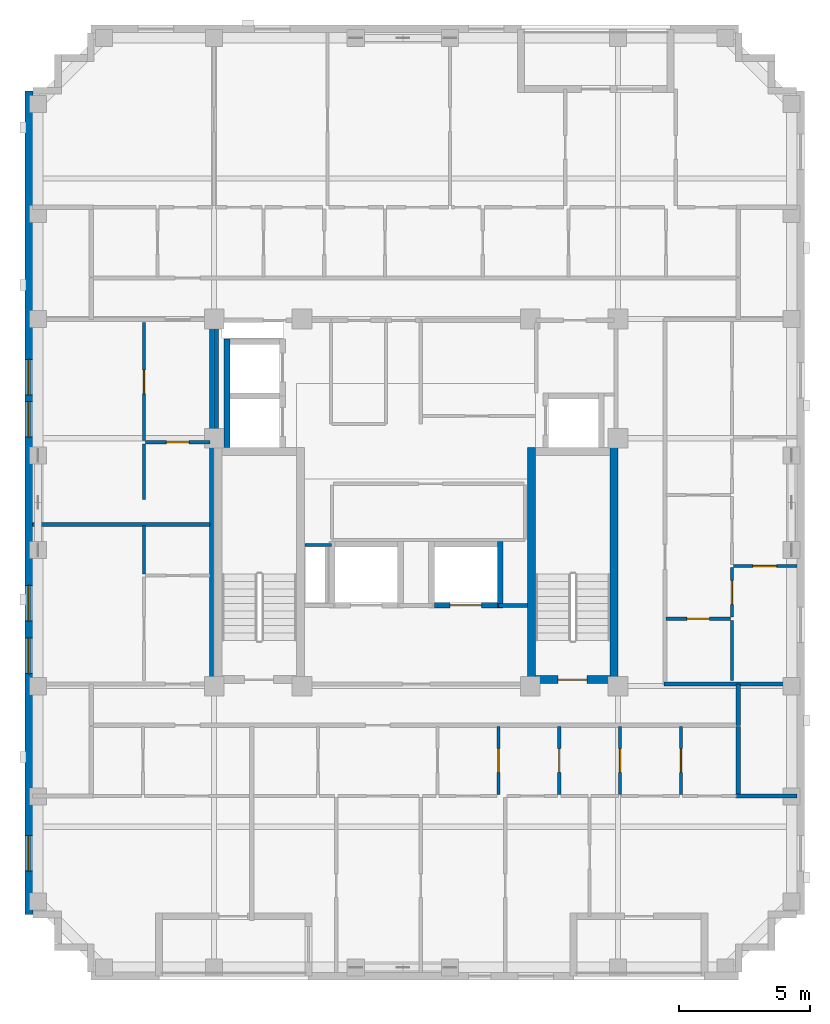
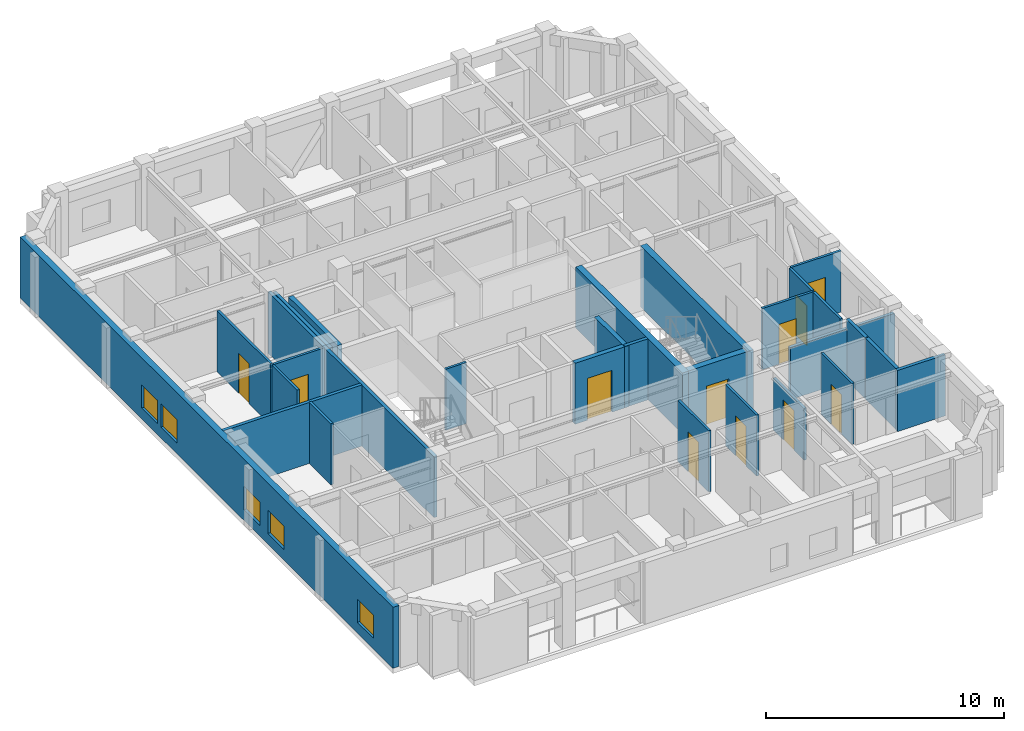
# One storey, part 4 of 11: 28 walls, 11 doors, 5 windows, 16 openings.
"""IFC4 building model written with IfcOpenShell, lengths in metres."""

from ifc_helpers import new_model, si_unit, derived_unit, direction, frame, frame_2d, origin, place, context, subcontext, project, spatial, rectangle, extrude, material, layer, layer_set, type_object, element, fill, save


model = new_model("IFC4")

# Units and contexts
model_context = context("Model", 3, precision=1e-05, world=origin(), true_north=direction((0.0, 1.0)))
body_context = subcontext(model_context, "Body", "Model", "MODEL_VIEW")
ifc_project = project(units=[si_unit("LENGTHUNIT", "METRE"), si_unit("AREAUNIT", "SQUARE_METRE"), si_unit("VOLUMEUNIT", "CUBIC_METRE"), si_unit("PLANEANGLEUNIT", "RADIAN"), si_unit("MASSUNIT", "GRAM", prefix="KILO"), derived_unit("THERMALTRANSMITTANCEUNIT", [(si_unit("MASSUNIT", "GRAM", prefix="KILO"), 1), (si_unit("TIMEUNIT", "SECOND"), -3), (si_unit("THERMODYNAMICTEMPERATUREUNIT", "KELVIN"), -1)])], contexts=[model_context])

# Site, building, storey
site_placement = place(None, origin())
site = spatial("IfcSite", under=ifc_project, at=site_placement, CompositionType="ELEMENT")
building_placement = place(site_placement, origin())
building = spatial("IfcBuilding", under=site, at=building_placement, Name="Korrvale Station Residences", CompositionType="ELEMENT")
storey_placement = place(building_placement, frame((0.0, 0.0, 244.5)))
storey = spatial("IfcBuildingStorey", under=building, at=storey_placement, Name="L71", CompositionType="ELEMENT", Elevation=244.5)

# Walls
ifc_material_1 = material(Name="Concrete C50/60", Category="concrete")
ifc_layer_1 = layer(ifc_material_1, 0.300048828125, Name="Concrete C50/60")
ifc_layer_set_1 = layer_set([ifc_layer_1], Name="Concrete C50/60")
wall_type_1 = type_object("IfcWallType", Name="WAL-CORE-300-C50", PredefinedType="SHEAR", material=ifc_layer_set_1)
for number, where, z_axis, x_axis, name in (
    (1, (29.89990234375, 15.10009765625, 0.0), (0.0, 0.0, 1.0), (0.0, 1.0, 0.0), "L71 ST-2 Core Shear Wall West"),
    (2, (33.050048828125, 15.10009765625, 0.0), (0.0, 0.0, 1.0), (0.0, 1.0, 0.0), "L71 ST-2 Core Shear Wall East"),
):
    element("IfcWall", number, at=place(storey_placement, frame(where, z_axis=z_axis, x_axis=x_axis)), inside=storey, type_object=wall_type_1, Name=name, PredefinedType="SHEAR", context=body_context, shape_type="SweptSolid", body=[
        extrude(rectangle(XDim=9.0, YDim=0.300048828125, at=frame_2d((4.5, 0.0))), origin(), (0.0, 0.0, 1.0), 3.139892578125),
    ])

# Wall, opening, door
wall_1_placement = place(storey_placement, frame((30.050048828125, 15.25, 0.0), z_axis=(0.0, 0.0, 1.0), x_axis=(1.0, 0.0, 0.0)))
wall_1 = element("IfcWall", 3, at=wall_1_placement, inside=storey, type_object=wall_type_1, Name="L71 ST-2 Core Shear Wall South", PredefinedType="SHEAR", context=body_context, shape_type="SweptSolid", body=[
    extrude(rectangle(XDim=2.849853515625, YDim=0.300048828125, at=frame_2d((1.4248046875, 0.0))), origin(), (0.0, 0.0, 1.0), 3.139892578125),
])
opening_1_placement = place(wall_1_placement, frame((0.860107421875, 0.0, 0.0)))
opening_1 = element("IfcOpeningElement", 4, at=opening_1_placement, cuts=wall_1, Name="Opening SD-1100", PredefinedType="OPENING", context=body_context, shape_type="SweptSolid", body=[
    extrude(rectangle(XDim=1.10009765625, YDim=2.050048828125, at=frame_2d((0.550048828125, 1.02490234375))), frame((0.0, 0.16015625, 0.0), z_axis=(0.0, -1.0, 0.0), x_axis=(1.0, 0.0, 0.0)), (0.0, 0.0, 1.0), 0.320068359375),
])
ifc_material_2 = material(Name="Hollow-metal fire-rated stair door with closer", Category="steel")
door_type_1 = type_object("IfcDoorType", Name="DR-STAIR-1100", OperationType="NOTDEFINED", PredefinedType="DOOR", material=ifc_material_2)
door_1_placement = place(opening_1_placement, origin())
door_1 = element("IfcDoor", 5, at=door_1_placement, inside=storey, type_object=door_type_1, Name="L71 ST-2 Exit Stair Door", OperationType="SINGLE_SWING_RIGHT", OverallHeight=2.050048828125, OverallWidth=1.10009765625, PredefinedType="DOOR", context=body_context, shape_type="SweptSolid", body=[
    extrude(rectangle(XDim=1.10009765625, YDim=2.050048828125, at=frame_2d((0.550048828125, 1.02490234375))), frame((0.0, 0.02490234375, 0.0), z_axis=(0.0, -1.0, 0.0), x_axis=(1.0, 0.0, 0.0)), (0.0, 0.0, 1.0), 0.050048828125),
])
fill(opening_1, door_1)

# Wall, openings, windows
ifc_material_3 = material(Name="Precast concrete C45/55", Category="concrete")
ifc_layer_2 = layer(ifc_material_3, 0.300048828125, Name="Precast concrete C45/55")
ifc_layer_set_2 = layer_set([ifc_layer_2], Name="Precast concrete C45/55")
wall_type_2 = type_object("IfcWallType", Name="WAL-EXT-PC300", PredefinedType="SOLIDWALL", material=ifc_layer_set_2)
wall_2_placement = place(storey_placement, frame((10.75, 6.300048828125, 0.0), z_axis=(0.0, 0.0, 1.0), x_axis=(0.0, 1.0, 0.0)))
wall_2 = element("IfcWall", 6, at=wall_2_placement, inside=storey, type_object=wall_type_2, Name="L71 West Exterior Precast Wall 1", PredefinedType="SOLIDWALL", context=body_context, shape_type="SweptSolid", body=[
    extrude(rectangle(XDim=31.39990234375, YDim=0.300048828125, at=frame_2d((15.699951171875, 0.0))), origin(), (0.0, 0.0, 1.0), 3.139892578125),
])
opening_2_placement = place(wall_2_placement, frame((1.653076171875, 0.0, 0.550048828125)))
opening_2 = element("IfcOpeningElement", 7, at=opening_2_placement, cuts=wall_2, Name="Opening W-10", PredefinedType="OPENING", context=body_context, shape_type="SweptSolid", body=[
    extrude(rectangle(XDim=1.35009765625, YDim=1.199951171875, at=frame_2d((0.675048828125, 0.60009765625))), frame((0.0, 0.16015625, 0.0), z_axis=(0.0, -1.0, 0.0), x_axis=(1.0, 0.0, 0.0)), (0.0, 0.0, 1.0), 0.320068359375),
])
opening_3_placement = place(wall_2_placement, frame((11.194091796875, 0.0, 0.550048828125)))
opening_3 = element("IfcOpeningElement", 8, at=opening_3_placement, cuts=wall_2, Name="Opening W-10", PredefinedType="OPENING", context=body_context, shape_type="SweptSolid", body=[
    extrude(rectangle(XDim=1.35009765625, YDim=1.199951171875, at=frame_2d((0.675048828125, 0.60009765625))), frame((0.0, 0.16015625, 0.0), z_axis=(0.0, -1.0, 0.0), x_axis=(1.0, 0.0, 0.0)), (0.0, 0.0, 1.0), 0.320068359375),
])
opening_4_placement = place(wall_2_placement, frame((9.18505859375, 0.0, 0.550048828125)))
opening_4 = element("IfcOpeningElement", 9, at=opening_4_placement, cuts=wall_2, Name="Opening W-10", PredefinedType="OPENING", context=body_context, shape_type="SweptSolid", body=[
    extrude(rectangle(XDim=1.35009765625, YDim=1.199951171875, at=frame_2d((0.675048828125, 0.60009765625))), frame((0.0, 0.16015625, 0.0), z_axis=(0.0, -1.0, 0.0), x_axis=(1.0, 0.0, 0.0)), (0.0, 0.0, 1.0), 0.320068359375),
])
opening_5_placement = place(wall_2_placement, frame((18.199951171875, 0.0, 0.550048828125)))
opening_5 = element("IfcOpeningElement", 10, at=opening_5_placement, cuts=wall_2, Name="Opening W-10", PredefinedType="OPENING", context=body_context, shape_type="SweptSolid", body=[
    extrude(rectangle(XDim=1.35009765625, YDim=1.199951171875, at=frame_2d((0.675048828125, 0.60009765625))), frame((0.0, 0.16015625, 0.0), z_axis=(0.0, -1.0, 0.0), x_axis=(1.0, 0.0, 0.0)), (0.0, 0.0, 1.0), 0.320068359375),
])
opening_6_placement = place(wall_2_placement, frame((19.81005859375, 0.0, 0.550048828125)))
opening_6 = element("IfcOpeningElement", 11, at=opening_6_placement, cuts=wall_2, Name="Opening W-10", PredefinedType="OPENING", context=body_context, shape_type="SweptSolid", body=[
    extrude(rectangle(XDim=1.35009765625, YDim=1.199951171875, at=frame_2d((0.675048828125, 0.60009765625))), frame((0.0, 0.16015625, 0.0), z_axis=(0.0, -1.0, 0.0), x_axis=(1.0, 0.0, 0.0)), (0.0, 0.0, 1.0), 0.320068359375),
])
ifc_material_4 = material(Name="Thermally broken aluminium frame with triple low-e glazing", Category="aluminium")
window_type = type_object("IfcWindowType", Name="WIN-W10", PartitioningType="SINGLE_PANEL", PredefinedType="WINDOW", material=ifc_material_4)
window_1_placement = place(opening_2_placement, origin())
window_1 = element("IfcWindow", 12, at=window_1_placement, inside=storey, type_object=window_type, Name="L71 Punched Window 01", OverallHeight=1.199951171875, OverallWidth=1.35009765625, PartitioningType="SINGLE_PANEL", PredefinedType="WINDOW", context=body_context, shape_type="SweptSolid", body=[
    extrude(rectangle(XDim=1.35009765625, YDim=1.199951171875, at=frame_2d((0.675048828125, 0.60009765625))), frame((0.0, 0.030029296875, 0.0), z_axis=(0.0, -1.0, 0.0), x_axis=(1.0, 0.0, 0.0)), (0.0, 0.0, 1.0), 0.06005859375),
])
fill(opening_2, window_1)
window_2_placement = place(opening_3_placement, origin())
window_2 = element("IfcWindow", 13, at=window_2_placement, inside=storey, type_object=window_type, Name="L71 Punched Window 11", OverallHeight=1.199951171875, OverallWidth=1.35009765625, PartitioningType="SINGLE_PANEL", PredefinedType="WINDOW", context=body_context, shape_type="SweptSolid", body=[
    extrude(rectangle(XDim=1.35009765625, YDim=1.199951171875, at=frame_2d((0.675048828125, 0.60009765625))), frame((0.0, 0.030029296875, 0.0), z_axis=(0.0, -1.0, 0.0), x_axis=(1.0, 0.0, 0.0)), (0.0, 0.0, 1.0), 0.06005859375),
])
fill(opening_3, window_2)
window_3_placement = place(opening_4_placement, origin())
window_3 = element("IfcWindow", 14, at=window_3_placement, inside=storey, type_object=window_type, Name="L71 Punched Window 12", OverallHeight=1.199951171875, OverallWidth=1.35009765625, PartitioningType="SINGLE_PANEL", PredefinedType="WINDOW", context=body_context, shape_type="SweptSolid", body=[
    extrude(rectangle(XDim=1.35009765625, YDim=1.199951171875, at=frame_2d((0.675048828125, 0.60009765625))), frame((0.0, 0.030029296875, 0.0), z_axis=(0.0, -1.0, 0.0), x_axis=(1.0, 0.0, 0.0)), (0.0, 0.0, 1.0), 0.06005859375),
])
fill(opening_4, window_3)
window_4_placement = place(opening_5_placement, origin())
window_4 = element("IfcWindow", 15, at=window_4_placement, inside=storey, type_object=window_type, Name="L71 Punched Window 13", OverallHeight=1.199951171875, OverallWidth=1.35009765625, PartitioningType="SINGLE_PANEL", PredefinedType="WINDOW", context=body_context, shape_type="SweptSolid", body=[
    extrude(rectangle(XDim=1.35009765625, YDim=1.199951171875, at=frame_2d((0.675048828125, 0.60009765625))), frame((0.0, 0.030029296875, 0.0), z_axis=(0.0, -1.0, 0.0), x_axis=(1.0, 0.0, 0.0)), (0.0, 0.0, 1.0), 0.06005859375),
])
fill(opening_5, window_4)
window_5_placement = place(opening_6_placement, origin())
window_5 = element("IfcWindow", 16, at=window_5_placement, inside=storey, type_object=window_type, Name="L71 Punched Window 14", OverallHeight=1.199951171875, OverallWidth=1.35009765625, PartitioningType="SINGLE_PANEL", PredefinedType="WINDOW", context=body_context, shape_type="SweptSolid", body=[
    extrude(rectangle(XDim=1.35009765625, YDim=1.199951171875, at=frame_2d((0.675048828125, 0.60009765625))), frame((0.0, 0.030029296875, 0.0), z_axis=(0.0, -1.0, 0.0), x_axis=(1.0, 0.0, 0.0)), (0.0, 0.0, 1.0), 0.06005859375),
])
fill(opening_6, window_5)

# Wall
ifc_material_5 = material(Name="Acoustic steel-stud gypsum board partition", Category="steel")
ifc_layer_3 = layer(ifc_material_5, 0.1201171875, Name="Acoustic steel-stud gypsum board partition")
ifc_layer_set_3 = layer_set([ifc_layer_3], Name="Acoustic steel-stud gypsum board partition")
wall_type_3 = type_object("IfcWallType", Name="WAL-PART-125", PredefinedType="PARTITIONING", material=ifc_layer_set_3)
wall_3_placement = place(storey_placement, frame((22.280029296875, 20.3798828125, 0.0), z_axis=(0.0, 0.0, 1.0), x_axis=(-1.0, 0.0, 0.0)))
element("IfcWall", 17, at=wall_3_placement, inside=storey, type_object=wall_type_3, Name="L71 Core Partition CW-RSWT-N", PredefinedType="PARTITIONING", context=body_context, shape_type="SweptSolid", body=[
    extrude(rectangle(XDim=1.02001953125, YDim=0.1201171875, at=frame_2d((0.510009765625, 0.0))), origin(), (0.0, 0.0, 1.0), 3.139892578125),
])

# Wall, opening, door
wall_4_placement = place(storey_placement, frame((28.638916015625, 10.8701171875, 0.0), z_axis=(0.0, 0.0, 1.0), x_axis=(0.0, 1.0, 0.0)))
wall_4 = element("IfcWall", 18, at=wall_4_placement, inside=storey, type_object=wall_type_3, Name="L71 Suite Partition U02-V23", PredefinedType="PARTITIONING", context=body_context, shape_type="SweptSolid", body=[
    extrude(rectangle(XDim=2.599853515625, YDim=0.1201171875, at=frame_2d((1.2998046875, 0.0))), origin(), (0.0, 0.0, 1.0), 3.139892578125),
])
opening_7_placement = place(wall_4_placement, frame((0.85009765625, 0.0, 0.0)))
opening_7 = element("IfcOpeningElement", 19, at=opening_7_placement, cuts=wall_4, Name="Opening DI-900", PredefinedType="OPENING", context=body_context, shape_type="SweptSolid", body=[
    extrude(rectangle(XDim=0.89990234375, YDim=2.050048828125, at=frame_2d((0.449951171875, 1.02490234375))), frame((0.0, 0.070068359375, 0.0), z_axis=(0.0, -1.0, 0.0), x_axis=(1.0, 0.0, 0.0)), (0.0, 0.0, 1.0), 0.14013671875),
])
ifc_material_6 = material(Name="Painted solid-core timber interior room door", Category="wood")
door_type_2 = type_object("IfcDoorType", Name="DR-INT-900", OperationType="NOTDEFINED", PredefinedType="DOOR", material=ifc_material_6)
door_2_placement = place(opening_7_placement, origin())
door_2 = element("IfcDoor", 20, at=door_2_placement, inside=storey, type_object=door_type_2, Name="L71 Studio Apartment L71-U02 Wardrobe Storage Room Door", OperationType="SINGLE_SWING_RIGHT", OverallHeight=2.050048828125, OverallWidth=0.89990234375, PredefinedType="DOOR", context=body_context, shape_type="SweptSolid", body=[
    extrude(rectangle(XDim=0.89990234375, YDim=2.050048828125, at=frame_2d((0.449951171875, 1.02490234375))), frame((0.0, 0.02490234375, 0.0), z_axis=(0.0, -1.0, 0.0), x_axis=(1.0, 0.0, 0.0)), (0.0, 0.0, 1.0), 0.050048828125),
])
fill(opening_7, door_2)

wall_5_placement = place(storey_placement, frame((30.958984375, 10.8701171875, 0.0), z_axis=(0.0, 0.0, 1.0), x_axis=(0.0, 1.0, 0.0)))
wall_5 = element("IfcWall", 21, at=wall_5_placement, inside=storey, type_object=wall_type_3, Name="L71 Suite Partition U02-V34", PredefinedType="PARTITIONING", context=body_context, shape_type="SweptSolid", body=[
    extrude(rectangle(XDim=2.599853515625, YDim=0.1201171875, at=frame_2d((1.2998046875, 0.0))), origin(), (0.0, 0.0, 1.0), 3.139892578125),
])
opening_8_placement = place(wall_5_placement, frame((0.85009765625, 0.0, 0.0)))
opening_8 = element("IfcOpeningElement", 22, at=opening_8_placement, cuts=wall_5, Name="Opening DI-900", PredefinedType="OPENING", context=body_context, shape_type="SweptSolid", body=[
    extrude(rectangle(XDim=0.89990234375, YDim=2.050048828125, at=frame_2d((0.449951171875, 1.02490234375))), frame((0.0, 0.070068359375, 0.0), z_axis=(0.0, -1.0, 0.0), x_axis=(1.0, 0.0, 0.0)), (0.0, 0.0, 1.0), 0.14013671875),
])
door_3_placement = place(opening_8_placement, origin())
door_3 = element("IfcDoor", 23, at=door_3_placement, inside=storey, type_object=door_type_2, Name="L71 Studio Apartment L71-U02 Wardrobe Storage Room Door", OperationType="SINGLE_SWING_RIGHT", OverallHeight=2.050048828125, OverallWidth=0.89990234375, PredefinedType="DOOR", context=body_context, shape_type="SweptSolid", body=[
    extrude(rectangle(XDim=0.89990234375, YDim=2.050048828125, at=frame_2d((0.449951171875, 1.02490234375))), frame((0.0, 0.02490234375, 0.0), z_axis=(0.0, -1.0, 0.0), x_axis=(1.0, 0.0, 0.0)), (0.0, 0.0, 1.0), 0.050048828125),
])
fill(opening_8, door_3)

wall_6_placement = place(storey_placement, frame((33.279052734375, 10.8701171875, 0.0), z_axis=(0.0, 0.0, 1.0), x_axis=(0.0, 1.0, 0.0)))
wall_6 = element("IfcWall", 24, at=wall_6_placement, inside=storey, type_object=wall_type_3, Name="L71 Suite Partition U02-V45", PredefinedType="PARTITIONING", context=body_context, shape_type="SweptSolid", body=[
    extrude(rectangle(XDim=2.599853515625, YDim=0.1201171875, at=frame_2d((1.2998046875, 0.0))), origin(), (0.0, 0.0, 1.0), 2.66796875),
])
opening_9_placement = place(wall_6_placement, frame((0.85009765625, 0.0, 0.0)))
opening_9 = element("IfcOpeningElement", 25, at=opening_9_placement, cuts=wall_6, Name="Opening DI-900", PredefinedType="OPENING", context=body_context, shape_type="SweptSolid", body=[
    extrude(rectangle(XDim=0.89990234375, YDim=2.050048828125, at=frame_2d((0.449951171875, 1.02490234375))), frame((0.0, 0.070068359375, 0.0), z_axis=(0.0, -1.0, 0.0), x_axis=(1.0, 0.0, 0.0)), (0.0, 0.0, 1.0), 0.14013671875),
])
door_4_placement = place(opening_9_placement, origin())
door_4 = element("IfcDoor", 26, at=door_4_placement, inside=storey, type_object=door_type_2, Name="L71 Studio Apartment L71-U02 Wardrobe Storage Room Door", OperationType="SINGLE_SWING_RIGHT", OverallHeight=2.050048828125, OverallWidth=0.89990234375, PredefinedType="DOOR", context=body_context, shape_type="SweptSolid", body=[
    extrude(rectangle(XDim=0.89990234375, YDim=2.050048828125, at=frame_2d((0.449951171875, 1.02490234375))), frame((0.0, 0.02490234375, 0.0), z_axis=(0.0, -1.0, 0.0), x_axis=(1.0, 0.0, 0.0)), (0.0, 0.0, 1.0), 0.050048828125),
])
fill(opening_9, door_4)

wall_7_placement = place(storey_placement, frame((35.59912109375, 10.8701171875, 0.0), z_axis=(0.0, 0.0, 1.0), x_axis=(0.0, 1.0, 0.0)))
wall_7 = element("IfcWall", 27, at=wall_7_placement, inside=storey, type_object=wall_type_3, Name="L71 Suite Partition U02-V56", PredefinedType="PARTITIONING", context=body_context, shape_type="SweptSolid", body=[
    extrude(rectangle(XDim=2.599853515625, YDim=0.1201171875, at=frame_2d((1.2998046875, 0.0))), origin(), (0.0, 0.0, 1.0), 3.139892578125),
])
opening_10_placement = place(wall_7_placement, frame((0.85009765625, 0.0, 0.0)))
opening_10 = element("IfcOpeningElement", 28, at=opening_10_placement, cuts=wall_7, Name="Opening DI-900", PredefinedType="OPENING", context=body_context, shape_type="SweptSolid", body=[
    extrude(rectangle(XDim=0.89990234375, YDim=2.050048828125, at=frame_2d((0.449951171875, 1.02490234375))), frame((0.0, 0.070068359375, 0.0), z_axis=(0.0, -1.0, 0.0), x_axis=(1.0, 0.0, 0.0)), (0.0, 0.0, 1.0), 0.14013671875),
])
door_5_placement = place(opening_10_placement, origin())
door_5 = element("IfcDoor", 29, at=door_5_placement, inside=storey, type_object=door_type_2, Name="L71 Studio Apartment L71-U02 Wardrobe Storage Room Door", OperationType="SINGLE_SWING_LEFT", OverallHeight=2.050048828125, OverallWidth=0.89990234375, PredefinedType="DOOR", context=body_context, shape_type="SweptSolid", body=[
    extrude(rectangle(XDim=0.89990234375, YDim=2.050048828125, at=frame_2d((0.449951171875, 1.02490234375))), frame((0.0, 0.02490234375, 0.0), z_axis=(0.0, -1.0, 0.0), x_axis=(1.0, 0.0, 0.0)), (0.0, 0.0, 1.0), 0.050048828125),
])
fill(opening_10, door_5)

# Wall
wall_8_placement = place(storey_placement, frame((15.1298828125, 19.27587890625, 0.0), z_axis=(0.0, 0.0, 1.0), x_axis=(0.0, 1.0, 0.0)))
element("IfcWall", 30, at=wall_8_placement, inside=storey, type_object=wall_type_3, Name="L71 Suite Partition U04-V02", PredefinedType="PARTITIONING", context=body_context, shape_type="SweptSolid", body=[
    extrude(rectangle(XDim=1.85009765625, YDim=0.1201171875, at=frame_2d((0.925048828125, 0.0))), origin(), (0.0, 0.0, 1.0), 3.139892578125),
])

# Wall, opening, door
wall_9_placement = place(storey_placement, frame((15.18994140625, 24.300048828125, 0.0), z_axis=(0.0, 0.0, 1.0), x_axis=(1.0, 0.0, 0.0)))
wall_9 = element("IfcWall", 31, at=wall_9_placement, inside=storey, type_object=wall_type_3, Name="L71 Suite Partition U05-H01", PredefinedType="PARTITIONING", context=body_context, shape_type="SweptSolid", body=[
    extrude(rectangle(XDim=2.449951171875, YDim=0.1201171875, at=frame_2d((1.22509765625, 0.0))), origin(), (0.0, 0.0, 1.0), 3.139892578125),
])
opening_11_placement = place(wall_9_placement, frame((0.794921875, 0.0, 0.0)))
opening_11 = element("IfcOpeningElement", 32, at=opening_11_placement, cuts=wall_9, Name="Opening DB-860", PredefinedType="OPENING", context=body_context, shape_type="SweptSolid", body=[
    extrude(rectangle(XDim=0.860107421875, YDim=2.050048828125, at=frame_2d((0.43017578125, 1.02490234375))), frame((0.0, 0.070068359375, 0.0), z_axis=(0.0, -1.0, 0.0), x_axis=(1.0, 0.0, 0.0)), (0.0, 0.0, 1.0), 0.14013671875),
])
ifc_material_7 = material(Name="Moisture-resistant solid-core bathroom door", Category="timber")
door_type_3 = type_object("IfcDoorType", Name="DR-BATH-860", OperationType="NOTDEFINED", PredefinedType="DOOR", material=ifc_material_7)
door_6_placement = place(opening_11_placement, origin())
door_6 = element("IfcDoor", 33, at=door_6_placement, inside=storey, type_object=door_type_3, Name="L71 Studio Apartment L71-U05 Bathroom Door", OperationType="SINGLE_SWING_LEFT", OverallHeight=2.050048828125, OverallWidth=0.860107421875, PredefinedType="DOOR", context=body_context, shape_type="SweptSolid", body=[
    extrude(rectangle(XDim=0.860107421875, YDim=2.050048828125, at=frame_2d((0.43017578125, 1.02490234375))), frame((0.0, 0.02490234375, 0.0), z_axis=(0.0, -1.0, 0.0), x_axis=(1.0, 0.0, 0.0)), (0.0, 0.0, 1.0), 0.050048828125),
])
fill(opening_11, door_6)

# Wall
wall_10_placement = place(storey_placement, frame((15.1298828125, 22.118896484375, 0.0), z_axis=(0.0, 0.0, 1.0), x_axis=(0.0, 1.0, 0.0)))
element("IfcWall", 34, at=wall_10_placement, inside=storey, type_object=wall_type_3, Name="L71 Suite Partition U05-V02", PredefinedType="PARTITIONING", context=body_context, shape_type="SweptSolid", body=[
    extrude(rectangle(XDim=2.12109375, YDim=0.1201171875, at=frame_2d((1.060546875, 0.0))), origin(), (0.0, 0.0, 1.0), 3.139892578125),
])

# Wall, opening, door
wall_11_placement = place(storey_placement, frame((15.1298828125, 24.360107421875, 0.0), z_axis=(0.0, 0.0, 1.0), x_axis=(0.0, 1.0, 0.0)))
wall_11 = element("IfcWall", 35, at=wall_11_placement, inside=storey, type_object=wall_type_3, Name="L71 Suite Partition U05-V12", PredefinedType="PARTITIONING", context=body_context, shape_type="SweptSolid", body=[
    extrude(rectangle(XDim=4.5, YDim=0.1201171875, at=frame_2d((2.25, 0.0))), origin(), (0.0, 0.0, 1.0), 3.139892578125),
])
opening_12_placement = place(wall_11_placement, frame((1.800048828125, 0.0, 0.0)))
opening_12 = element("IfcOpeningElement", 36, at=opening_12_placement, cuts=wall_11, Name="Opening DI-900", PredefinedType="OPENING", context=body_context, shape_type="SweptSolid", body=[
    extrude(rectangle(XDim=0.89990234375, YDim=2.050048828125, at=frame_2d((0.449951171875, 1.02490234375))), frame((0.0, 0.070068359375, 0.0), z_axis=(0.0, -1.0, 0.0), x_axis=(1.0, 0.0, 0.0)), (0.0, 0.0, 1.0), 0.14013671875),
])
door_7_placement = place(opening_12_placement, origin())
door_7 = element("IfcDoor", 37, at=door_7_placement, inside=storey, type_object=door_type_2, Name="L71 Studio Apartment L71-U05 Kitchen Door", OperationType="SINGLE_SWING_RIGHT", OverallHeight=2.050048828125, OverallWidth=0.89990234375, PredefinedType="DOOR", context=body_context, shape_type="SweptSolid", body=[
    extrude(rectangle(XDim=0.89990234375, YDim=2.050048828125, at=frame_2d((0.449951171875, 1.02490234375))), frame((0.0, 0.02490234375, 0.0), z_axis=(0.0, -1.0, 0.0), x_axis=(1.0, 0.0, 0.0)), (0.0, 0.0, 1.0), 0.050048828125),
])
fill(opening_12, door_7)

wall_12_placement = place(storey_placement, frame((35.030029296875, 17.570068359375, 0.0), z_axis=(0.0, 0.0, 1.0), x_axis=(1.0, 0.0, 0.0)))
wall_12 = element("IfcWall", 38, at=wall_12_placement, inside=storey, type_object=wall_type_3, Name="L71 Suite Partition U06-H12", PredefinedType="PARTITIONING", context=body_context, shape_type="SweptSolid", body=[
    extrude(rectangle(XDim=2.449951171875, YDim=0.1201171875, at=frame_2d((1.22509765625, 0.0))), origin(), (0.0, 0.0, 1.0), 3.139892578125),
])
opening_13_placement = place(wall_12_placement, frame((0.794921875, 0.0, 0.0)))
opening_13 = element("IfcOpeningElement", 39, at=opening_13_placement, cuts=wall_12, Name="Opening DB-860", PredefinedType="OPENING", context=body_context, shape_type="SweptSolid", body=[
    extrude(rectangle(XDim=0.860107421875, YDim=2.050048828125, at=frame_2d((0.43017578125, 1.02490234375))), frame((0.0, 0.070068359375, 0.0), z_axis=(0.0, -1.0, 0.0), x_axis=(1.0, 0.0, 0.0)), (0.0, 0.0, 1.0), 0.14013671875),
])
door_8_placement = place(opening_13_placement, origin())
door_8 = element("IfcDoor", 40, at=door_8_placement, inside=storey, type_object=door_type_3, Name="L71 Apartment 2BR L71-U06 Bathroom Door", OperationType="SINGLE_SWING_RIGHT", OverallHeight=2.050048828125, OverallWidth=0.860107421875, PredefinedType="DOOR", context=body_context, shape_type="SweptSolid", body=[
    extrude(rectangle(XDim=0.860107421875, YDim=2.050048828125, at=frame_2d((0.43017578125, 1.02490234375))), frame((0.0, 0.02490234375, 0.0), z_axis=(0.0, -1.0, 0.0), x_axis=(1.0, 0.0, 0.0)), (0.0, 0.0, 1.0), 0.050048828125),
])
fill(opening_13, door_8)

# Wall
wall_13_placement = place(storey_placement, frame((37.5400390625, 15.2099609375, 0.0), z_axis=(0.0, 0.0, 1.0), x_axis=(0.0, 1.0, 0.0)))
element("IfcWall", 41, at=wall_13_placement, inside=storey, type_object=wall_type_3, Name="L71 Suite Partition U06-V13", PredefinedType="PARTITIONING", context=body_context, shape_type="SweptSolid", body=[
    extrude(rectangle(XDim=2.300048828125, YDim=0.1201171875, at=frame_2d((1.14990234375, 0.0))), origin(), (0.0, 0.0, 1.0), 3.139892578125),
])

# Wall, opening, door
wall_14_placement = place(storey_placement, frame((37.5400390625, 17.6298828125, 0.0), z_axis=(0.0, 0.0, 1.0), x_axis=(0.0, 1.0, 0.0)))
wall_14 = element("IfcWall", 42, at=wall_14_placement, inside=storey, type_object=wall_type_3, Name="L71 Suite Partition U06-V23", PredefinedType="PARTITIONING", context=body_context, shape_type="SweptSolid", body=[
    extrude(rectangle(XDim=1.88818359375, YDim=0.1201171875, at=frame_2d((0.944091796875, 0.0))), origin(), (0.0, 0.0, 1.0), 3.139892578125),
])
opening_14_placement = place(wall_14_placement, frame((0.493896484375, 0.0, 0.0)))
opening_14 = element("IfcOpeningElement", 43, at=opening_14_placement, cuts=wall_14, Name="Opening DI-900", PredefinedType="OPENING", context=body_context, shape_type="SweptSolid", body=[
    extrude(rectangle(XDim=0.89990234375, YDim=2.050048828125, at=frame_2d((0.449951171875, 1.02490234375))), frame((0.0, 0.070068359375, 0.0), z_axis=(0.0, -1.0, 0.0), x_axis=(1.0, 0.0, 0.0)), (0.0, 0.0, 1.0), 0.14013671875),
])
door_9_placement = place(opening_14_placement, origin())
door_9 = element("IfcDoor", 44, at=door_9_placement, inside=storey, type_object=door_type_2, Name="L71 Apartment 2BR L71-U06 Kitchen Door", OperationType="SINGLE_SWING_LEFT", OverallHeight=2.050048828125, OverallWidth=0.89990234375, PredefinedType="DOOR", context=body_context, shape_type="SweptSolid", body=[
    extrude(rectangle(XDim=0.89990234375, YDim=2.050048828125, at=frame_2d((0.449951171875, 1.02490234375))), frame((0.0, 0.02490234375, 0.0), z_axis=(0.0, -1.0, 0.0), x_axis=(1.0, 0.0, 0.0)), (0.0, 0.0, 1.0), 0.050048828125),
])
fill(opening_14, door_9)

wall_15_placement = place(storey_placement, frame((37.60009765625, 19.577880859375, 0.0), z_axis=(0.0, 0.0, 1.0), x_axis=(1.0, 0.0, 0.0)))
wall_15 = element("IfcWall", 45, at=wall_15_placement, inside=storey, type_object=wall_type_3, Name="L71 Suite Partition U06-H34", PredefinedType="PARTITIONING", context=body_context, shape_type="SweptSolid", body=[
    extrude(rectangle(XDim=2.419921875, YDim=0.1201171875, at=frame_2d((1.2099609375, 0.0))), origin(), (0.0, 0.0, 1.0), 3.139892578125),
])
opening_15_placement = place(wall_15_placement, frame((0.7451171875, 0.0, 0.0)))
opening_15 = element("IfcOpeningElement", 46, at=opening_15_placement, cuts=wall_15, Name="Opening DI-900", PredefinedType="OPENING", context=body_context, shape_type="SweptSolid", body=[
    extrude(rectangle(XDim=0.89990234375, YDim=2.050048828125, at=frame_2d((0.449951171875, 1.02490234375))), frame((0.0, 0.070068359375, 0.0), z_axis=(0.0, -1.0, 0.0), x_axis=(1.0, 0.0, 0.0)), (0.0, 0.0, 1.0), 0.14013671875),
])
door_10_placement = place(opening_15_placement, origin())
door_10 = element("IfcDoor", 47, at=door_10_placement, inside=storey, type_object=door_type_2, Name="L71 Apartment 2BR L71-U06 Bedroom 1 Door", OperationType="SINGLE_SWING_LEFT", OverallHeight=2.050048828125, OverallWidth=0.89990234375, PredefinedType="DOOR", context=body_context, shape_type="SweptSolid", body=[
    extrude(rectangle(XDim=0.89990234375, YDim=2.050048828125, at=frame_2d((0.449951171875, 1.02490234375))), frame((0.0, 0.02490234375, 0.0), z_axis=(0.0, -1.0, 0.0), x_axis=(1.0, 0.0, 0.0)), (0.0, 0.0, 1.0), 0.050048828125),
])
fill(opening_15, door_10)

# Walls
ifc_material_8 = material(Name="Fire-rated twin-stud gypsum and mineral wool shaftwall assembly", Category="gypsum")
ifc_layer_4 = layer(ifc_material_8, 0.159912109375, Name="Fire-rated twin-stud gypsum and mineral wool shaftwall assembly")
ifc_layer_set_4 = layer_set([ifc_layer_4], Name="Fire-rated twin-stud gypsum and mineral wool shaftwall assembly")
wall_type_4 = type_object("IfcWallType", Name="WAL-PART-200", PredefinedType="PARTITIONING", material=ifc_layer_set_4)
wall_16_placement = place(storey_placement, frame((28.64990234375, 18.080078125, 0.0), z_axis=(0.0, 0.0, 1.0), x_axis=(1.0, 0.0, 0.0)))
element("IfcWall", 48, at=wall_16_placement, inside=storey, type_object=wall_type_4, Name="L71 Core Partition CW-FFL-N3", PredefinedType="PARTITIONING", context=body_context, shape_type="SweptSolid", body=[
    extrude(rectangle(XDim=1.10009765625, YDim=0.159912109375, at=frame_2d((0.550048828125, 0.0))), origin(), (0.0, 0.0, 1.0), 3.139892578125),
])
wall_17_placement = place(storey_placement, frame((17.8798828125, 24.1201171875, 0.0), z_axis=(0.0, 0.0, 1.0), x_axis=(0.0, 1.0, 0.0)))
element("IfcWall", 49, at=wall_17_placement, inside=storey, type_object=wall_type_4, Name="L71 Core Partition CW-W-N", PredefinedType="PARTITIONING", context=body_context, shape_type="SweptSolid", body=[
    extrude(rectangle(XDim=4.759765625, YDim=0.159912109375, at=frame_2d((2.3798828125, 0.0))), origin(), (0.0, 0.0, 1.0), 3.139892578125),
])
wall_18_placement = place(storey_placement, frame((37.780029296875, 13.510009765625, 0.0), z_axis=(0.0, 0.0, 1.0), x_axis=(0.0, 1.0, 0.0)))
element("IfcWall", 50, at=wall_18_placement, inside=storey, type_object=wall_type_4, Name="L71 Corridor South East Cap", PredefinedType="PARTITIONING", context=body_context, shape_type="SweptSolid", body=[
    extrude(rectangle(XDim=1.580078125, YDim=0.159912109375, at=frame_2d((0.7900390625, 0.0))), origin(), (0.0, 0.0, 1.0), 3.139892578125),
])
wall_19_placement = place(storey_placement, frame((34.949951171875, 15.090087890625, 0.0), z_axis=(0.0, 0.0, 1.0), x_axis=(1.0, 0.0, 0.0)))
element("IfcWall", 51, at=wall_19_placement, inside=storey, type_object=wall_type_4, Name="L71 East Wing South Corridor Wall", PredefinedType="PARTITIONING", context=body_context, shape_type="SweptSolid", body=[
    extrude(rectangle(XDim=5.070068359375, YDim=0.159912109375, at=frame_2d((2.53515625, 0.0))), origin(), (0.0, 0.0, 1.0), 2.66796875),
])
wall_20_placement = place(storey_placement, frame((37.679931640625, 10.81005859375, 0.0), z_axis=(0.0, 0.0, 1.0), x_axis=(1.0, 0.0, 0.0)))
element("IfcWall", 52, at=wall_20_placement, inside=storey, type_object=wall_type_4, Name="L71 Corner Step Wall U02-R", PredefinedType="PARTITIONING", context=body_context, shape_type="SweptSolid", body=[
    extrude(rectangle(XDim=2.340087890625, YDim=0.159912109375, at=frame_2d((1.169921875, 0.0))), origin(), (0.0, 0.0, 1.0), 3.139892578125),
])
wall_21_placement = place(storey_placement, frame((37.780029296875, 10.81005859375, 0.0), z_axis=(0.0, 0.0, 1.0), x_axis=(0.0, 1.0, 0.0)))
element("IfcWall", 53, at=wall_21_placement, inside=storey, type_object=wall_type_4, Name="L71 Corner Step Cheek U02-R", PredefinedType="PARTITIONING", context=body_context, shape_type="SweptSolid", body=[
    extrude(rectangle(XDim=2.659912109375, YDim=0.159912109375, at=frame_2d((1.330078125, 0.0))), origin(), (0.0, 0.0, 1.0), 3.139892578125),
])
wall_22_placement = place(storey_placement, frame((10.8798828125, 21.166015625, 0.0), z_axis=(0.0, 0.0, 1.0), x_axis=(1.0, 0.0, 0.0)))
element("IfcWall", 54, at=wall_22_placement, inside=storey, type_object=wall_type_4, Name="L71 Demising Wall U04-N", PredefinedType="PARTITIONING", context=body_context, shape_type="SweptSolid", body=[
    extrude(rectangle(XDim=6.760009765625, YDim=0.159912109375, at=frame_2d((3.3798828125, 0.0))), origin(), (0.0, 0.0, 1.0), 3.139892578125),
])
wall_23_placement = place(storey_placement, frame((17.699951171875, 15.02001953125, 0.0), z_axis=(0.0, 0.0, 1.0), x_axis=(0.0, 1.0, 0.0)))
element("IfcWall", 55, at=wall_23_placement, inside=storey, type_object=wall_type_4, Name="L71 Rated Corridor Wall W", PredefinedType="PARTITIONING", context=body_context, shape_type="SweptSolid", body=[
    extrude(rectangle(XDim=13.97998046875, YDim=0.159912109375, at=frame_2d((6.989990234375, 0.0))), origin(), (0.0, 0.0, 1.0), 3.139892578125),
])
ifc_layer_5 = layer(ifc_material_1, 0.219970703125, Name="Concrete C50/60")
ifc_layer_set_5 = layer_set([ifc_layer_5], Name="Concrete C50/60")
wall_type_5 = type_object("IfcWallType", Name="WAL-SHAFT-220-C50", PredefinedType="SHEAR", material=ifc_layer_set_5)
wall_24_placement = place(storey_placement, frame((18.2900390625, 24.10009765625, 0.0), z_axis=(0.0, 0.0, 1.0), x_axis=(0.0, 1.0, 0.0)))
element("IfcWall", 56, at=wall_24_placement, inside=storey, type_object=wall_type_5, Name="L71 Elevator PH-1 Hoistway Wall West", PredefinedType="SHEAR", context=body_context, shape_type="SweptSolid", body=[
    extrude(rectangle(XDim=4.139892578125, YDim=0.219970703125, at=frame_2d((2.06982421875, 0.0))), origin(), (0.0, 0.0, 1.0), 3.139892578125),
])

# Wall, opening, door
wall_25_placement = place(storey_placement, frame((26.199951171875, 18.090087890625, 0.0), z_axis=(0.0, 0.0, 1.0), x_axis=(1.0, 0.0, 0.0)))
wall_25 = element("IfcWall", 57, at=wall_25_placement, inside=storey, type_object=wall_type_5, Name="L71 Elevator FFL-2 Hoistway Wall South", PredefinedType="SHEAR", context=body_context, shape_type="SweptSolid", body=[
    extrude(rectangle(XDim=2.400146484375, YDim=0.219970703125, at=frame_2d((1.2001953125, 0.0))), origin(), (0.0, 0.0, 1.0), 3.139892578125),
])
opening_16_placement = place(wall_25_placement, frame((0.60009765625, 0.0, 0.0)))
opening_16 = element("IfcOpeningElement", 58, at=opening_16_placement, cuts=wall_25, Name="Opening LD-FF1200", PredefinedType="OPENING", context=body_context, shape_type="SweptSolid", body=[
    extrude(rectangle(XDim=1.199951171875, YDim=2.14990234375, at=frame_2d((0.60009765625, 1.074951171875))), frame((0.0, 0.1201171875, 0.0), z_axis=(0.0, -1.0, 0.0), x_axis=(1.0, 0.0, 0.0)), (0.0, 0.0, 1.0), 0.239990234375),
])
ifc_material_9 = material(Name="Stainless-steel firefighter elevator landing sliding door", Category="steel")
door_type_4 = type_object("IfcDoorType", Name="DR-LIFT-FF1200", OperationType="SLIDING_TO_LEFT", PredefinedType="DOOR", material=ifc_material_9)
door_11_placement = place(opening_16_placement, origin())
door_11 = element("IfcDoor", 59, at=door_11_placement, inside=storey, type_object=door_type_4, Name="L71 Elevator FFL-2 Sliding Landing Door", OperationType="SLIDING_TO_LEFT", OverallHeight=2.14990234375, OverallWidth=1.199951171875, PredefinedType="DOOR", context=body_context, shape_type="SweptSolid", body=[
    extrude(rectangle(XDim=1.199951171875, YDim=2.14990234375, at=frame_2d((0.60009765625, 1.074951171875))), frame((0.0, 0.02490234375, 0.0), z_axis=(0.0, -1.0, 0.0), x_axis=(1.0, 0.0, 0.0)), (0.0, 0.0, 1.0), 0.050048828125),
])
fill(opening_16, door_11)

# Wall
wall_26_placement = place(storey_placement, frame((28.7099609375, 17.97998046875, 0.0), z_axis=(0.0, 0.0, 1.0), x_axis=(0.0, 1.0, 0.0)))
element("IfcWall", 60, at=wall_26_placement, inside=storey, type_object=wall_type_5, Name="L71 Elevator FFL-2 Hoistway Wall East", PredefinedType="SHEAR", context=body_context, shape_type="SweptSolid", body=[
    extrude(rectangle(XDim=2.5400390625, YDim=0.219970703125, at=frame_2d((1.27001953125, 0.0))), origin(), (0.0, 0.0, 1.0), 3.139892578125),
])

save(model, "model.ifc")
